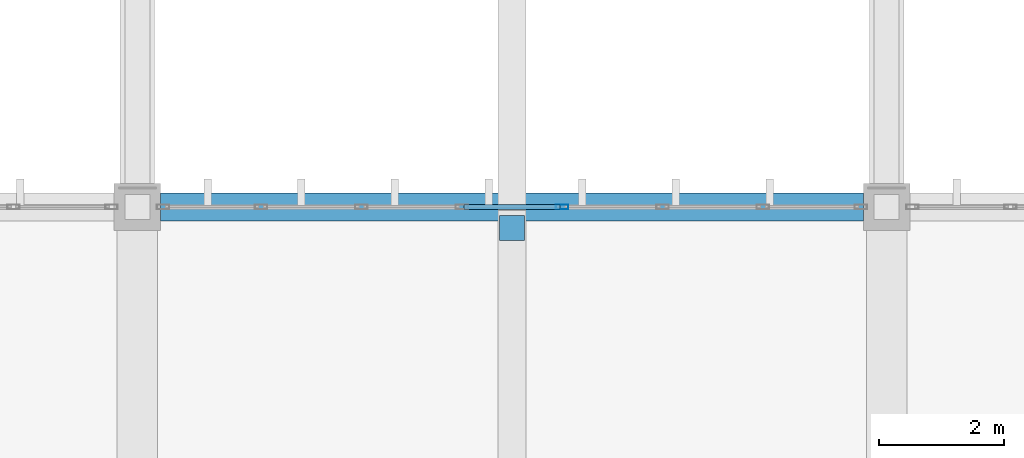
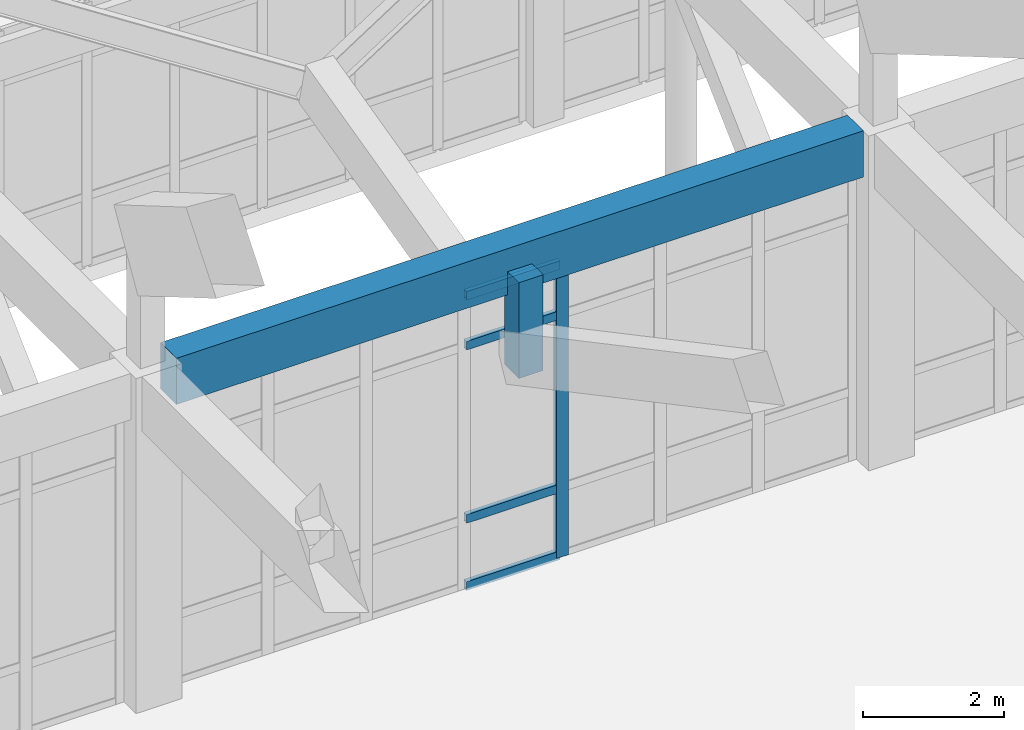
# One storey, part 79 of 236: 6 members, 1 beam, 1 element without a shape of its own.
"""IFC4 building model written with IfcOpenShell, lengths in metres."""

from ifc_helpers import new_model, si_unit, direction, frame, origin, origin_2d, place, context, subcontext, project, spatial, rectangle, hollow_rectangle, extrude, material, layer, layer_set, material_profile, profile_set, type_object, element, aggregate, save


model = new_model("IFC4")

# Units and contexts
model_context = context("Model", 3, precision=1e-05, world=origin(), true_north=direction((0.0, 1.0)))
body_context = subcontext(model_context, "Body", "Model", "MODEL_VIEW")
ifc_project = project(units=[si_unit("LENGTHUNIT", "METRE"), si_unit("AREAUNIT", "SQUARE_METRE"), si_unit("VOLUMEUNIT", "CUBIC_METRE"), si_unit("PLANEANGLEUNIT", "RADIAN"), si_unit("MASSUNIT", "GRAM", prefix="KILO")], contexts=[model_context])

# Site, building, storey
site_placement = place(None, origin())
site = spatial("IfcSite", under=ifc_project, at=site_placement, CompositionType="ELEMENT")
building_placement = place(site_placement, origin())
building = spatial("IfcBuilding", under=site, at=building_placement, Name="Pandanus Reach Market Hall", CompositionType="ELEMENT")
storey_placement = place(building_placement, frame((0.0, 0.0, 5.39990234375)))
storey = spatial("IfcBuildingStorey", under=building, at=storey_placement, Name="L01", CompositionType="ELEMENT", Elevation=5.39990234375)

# Member
ifc_material_1 = material(Name="Concrete N50 (50 MPa)", Category="concrete")
ifc_material_profile_1 = material_profile(ifc_material_1, rectangle(XDim=0.39990234375, YDim=0.39990234375, at=origin_2d()), Name="RC400x400", Category="LoadBearing")
ifc_profile_set_1 = profile_set([ifc_material_profile_1], Name="Concrete N50 (50 MPa)")
member_type_1 = type_object("IfcMemberType", Name="AR-WEB400-E", PredefinedType="STRUT", material=ifc_profile_set_1)
member_1_placement = place(storey_placement, frame((78.0, 86.06005859375, 3.739990234375), z_axis=(0.0, 0.0, 1.0), x_axis=(1.0, 0.0, 0.0)))
element("IfcMember", 1, at=member_1_placement, inside=storey, type_object=member_type_1, Name="Butterfly north eave valley hanger B3N", PredefinedType="STRUT", context=body_context, shape_type="SweptSolid", body=[
    extrude(rectangle(XDim=0.39990234375, YDim=0.39990234375, at=origin_2d()), origin(), (0.0, 0.0, 1.0), 1.66015625),
])

# Beam
ifc_material_2 = material(Name="Concrete N40 (40 MPa)", Category="concrete")
ifc_material_profile_2 = material_profile(ifc_material_2, rectangle(XDim=0.449951171875, YDim=0.800048828125, at=origin_2d()), Name="RC450x800", Category="LoadBearing")
ifc_profile_set_2 = profile_set([ifc_material_profile_2], Name="Concrete N40 (40 MPa)")
beam_type = type_object("IfcBeamType", Name="BM-RC450-E", PredefinedType="SPANDREL", material=ifc_profile_set_2)
beam_placement = place(storey_placement, frame((72.373046875, 86.39990234375, 5.400146484375), z_axis=(1.0, 0.0, 0.0), x_axis=(0.0, 1.0, 0.0)))
element("IfcBeam", 2, at=beam_placement, inside=storey, type_object=beam_type, Name="Framing beam BM-RC450-E L01.1147", PredefinedType="SPANDREL", context=body_context, shape_type="SweptSolid", body=[
    extrude(rectangle(XDim=0.449951171875, YDim=0.800048828125, at=origin_2d()), origin(), (0.0, 0.0, 1.0), 11.25390625),
])

# Curtain wall, members
ifc_material_3 = material(Name="Bronze anodised aluminium and low-E glass", Category="aluminium")
ifc_layer = layer(ifc_material_3, 0.199951171875, Name="CW-02")
ifc_layer_set = layer_set([ifc_layer], Name="Bronze anodised aluminium and low-E glass")
curtain_wall_type = type_object("IfcCurtainWallType", Name="CW-02", PredefinedType="NOTDEFINED", material=ifc_layer_set)
curtain_wall_placement = place(storey_placement, origin())
curtain_wall = element("IfcCurtainWall", 3, at=curtain_wall_placement, inside=storey, type_object=curtain_wall_type, Name="Glazed curtain wall CW-02 CW-0012", PredefinedType="NOTDEFINED")
ifc_material_4 = material(Name="Bronze anodised aluminium", Category="aluminium")
ifc_material_profile_3 = material_profile(ifc_material_4, hollow_rectangle(XDim=0.074951171875, YDim=0.199951171875, WallThickness=0.00439453125, at=origin_2d()), Name="ALU75x200", Category="LoadBearing")
ifc_profile_set_3 = profile_set([ifc_material_profile_3], Name="Bronze anodised aluminium")
member_type_2 = type_object("IfcMemberType", Name="CW-M2", PredefinedType="MULLION", material=ifc_profile_set_3)
member_2_placement = place(storey_placement, frame((78.803466796875, 86.39990234375, 0.0), z_axis=(0.0, 0.0, 1.0), x_axis=(0.0, 1.0, 0.0)))
member_2 = element("IfcMember", 4, at=member_2_placement, type_object=member_type_2, Name="CW-02 mullion 5", PredefinedType="MULLION", context=body_context, shape_type="SweptSolid", body=[
    extrude(hollow_rectangle(XDim=0.074951171875, YDim=0.199951171875, WallThickness=0.00439453125, at=origin_2d()), origin(), (0.0, 0.0, 1.0), 5.10009765625),
])
ifc_material_profile_4 = material_profile(ifc_material_4, hollow_rectangle(XDim=0.074951171875, YDim=0.14990234375, WallThickness=0.00439453125, at=origin_2d()), Name="ALU75x150", Category="LoadBearing")
ifc_profile_set_4 = profile_set([ifc_material_profile_4], Name="Bronze anodised aluminium")
member_type_3 = type_object("IfcMemberType", Name="CW-T2", PredefinedType="USERDEFINED", material=ifc_profile_set_4)
member_3_placement = place(storey_placement, frame((77.23388671875, 86.39990234375, 0.03759765625), z_axis=(1.0, 0.0, 0.0), x_axis=(0.0, 1.0, 0.0)))
member_3 = element("IfcMember", 5, at=member_3_placement, type_object=member_type_3, Name="CW-02 transom 4.1", ObjectType="TRANSOM", PredefinedType="USERDEFINED", context=body_context, shape_type="SweptSolid", body=[
    extrude(hollow_rectangle(XDim=0.074951171875, YDim=0.14990234375, WallThickness=0.00439453125, at=origin_2d()), origin(), (0.0, 0.0, 1.0), 1.5322265625),
])
member_4_placement = place(storey_placement, frame((77.23388671875, 86.39990234375, 1.2001953125), z_axis=(1.0, 0.0, 0.0), x_axis=(0.0, 1.0, 0.0)))
member_4 = element("IfcMember", 6, at=member_4_placement, type_object=member_type_3, Name="CW-02 transom 4.2", ObjectType="TRANSOM", PredefinedType="USERDEFINED", context=body_context, shape_type="SweptSolid", body=[
    extrude(hollow_rectangle(XDim=0.074951171875, YDim=0.14990234375, WallThickness=0.00439453125, at=origin_2d()), origin(), (0.0, 0.0, 1.0), 1.5322265625),
])
member_5_placement = place(storey_placement, frame((77.23388671875, 86.39990234375, 4.2001953125), z_axis=(1.0, 0.0, 0.0), x_axis=(0.0, 1.0, 0.0)))
member_5 = element("IfcMember", 7, at=member_5_placement, type_object=member_type_3, Name="CW-02 transom 4.3", ObjectType="TRANSOM", PredefinedType="USERDEFINED", context=body_context, shape_type="SweptSolid", body=[
    extrude(hollow_rectangle(XDim=0.074951171875, YDim=0.14990234375, WallThickness=0.00439453125, at=origin_2d()), origin(), (0.0, 0.0, 1.0), 1.5322265625),
])
member_6_placement = place(storey_placement, frame((77.23388671875, 86.39990234375, 5.0625), z_axis=(1.0, 0.0, 0.0), x_axis=(0.0, 1.0, 0.0)))
member_6 = element("IfcMember", 8, at=member_6_placement, type_object=member_type_3, Name="CW-02 transom 4.4", ObjectType="TRANSOM", PredefinedType="USERDEFINED", context=body_context, shape_type="SweptSolid", body=[
    extrude(hollow_rectangle(XDim=0.074951171875, YDim=0.14990234375, WallThickness=0.00439453125, at=origin_2d()), origin(), (0.0, 0.0, 1.0), 1.5322265625),
])
aggregate(curtain_wall, [member_2, member_3, member_4, member_5, member_6])

save(model, "model.ifc")
